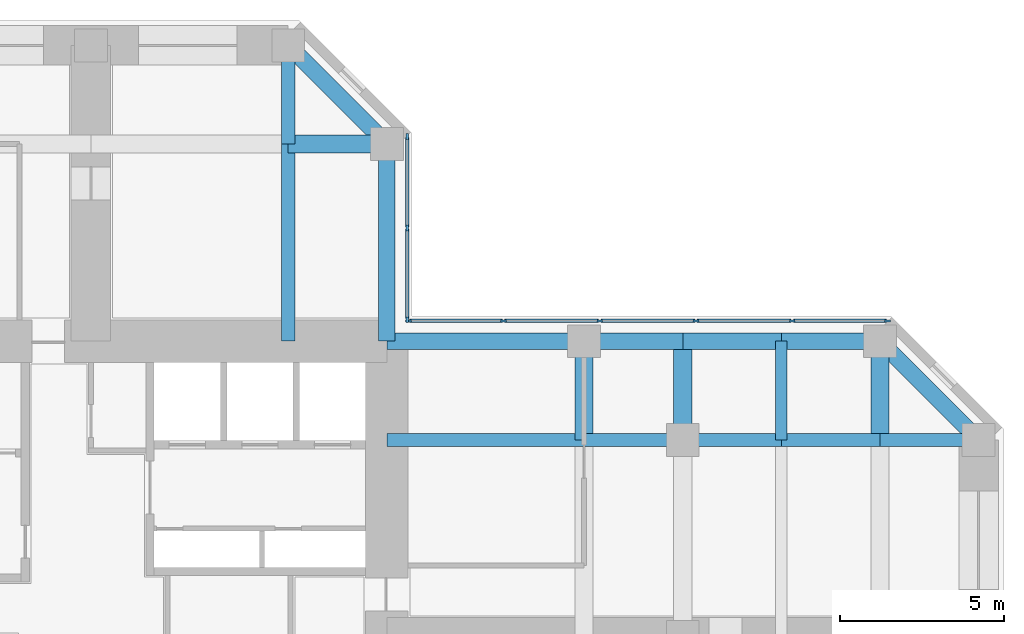
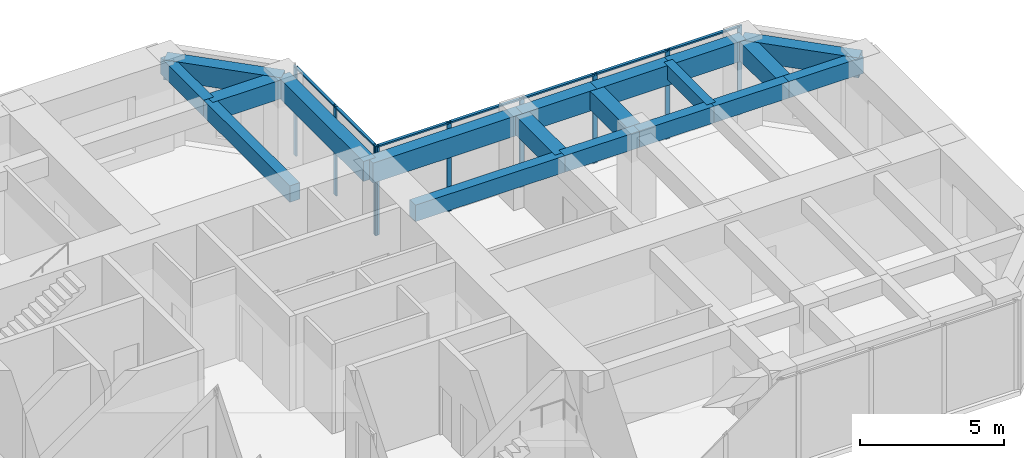
# One storey, part 6 of 12: 19 beams, 16 members, 2 elements without a shape of their own.
"""IFC4 building model written with IfcOpenShell, lengths in metres."""

from ifc_helpers import new_model, si_unit, direction, frame, origin, origin_2d, place, context, subcontext, project, spatial, rectangle, extrude, material, material_profile, profile_set, type_object, element, aggregate, save


model = new_model("IFC4")

# Units and contexts
model_context = context("Model", 3, precision=1e-05, world=origin(), true_north=direction((0.0, 1.0)))
body_context = subcontext(model_context, "Body", "Model", "MODEL_VIEW")
ifc_project = project(units=[si_unit("LENGTHUNIT", "METRE"), si_unit("AREAUNIT", "SQUARE_METRE"), si_unit("VOLUMEUNIT", "CUBIC_METRE"), si_unit("PLANEANGLEUNIT", "RADIAN"), si_unit("MASSUNIT", "GRAM", prefix="KILO")], contexts=[model_context])

# Site, building, storey
site_placement = place(None, origin())
site = spatial("IfcSite", under=ifc_project, at=site_placement, CompositionType="ELEMENT")
building_placement = place(site_placement, origin())
building = spatial("IfcBuilding", under=site, at=building_placement, Name="Torre Cruceta", CompositionType="ELEMENT")
storey_placement = place(building_placement, frame((0.0, 0.0, 140.5)))
storey = spatial("IfcBuildingStorey", under=building, at=storey_placement, Name="L34", CompositionType="ELEMENT", Elevation=140.5)

# Beams
ifc_material_1 = material(Name="Concrete G60 (fck 60 MPa)", Category="concrete")
ifc_material_profile_1 = material_profile(ifc_material_1, rectangle(XDim=0.39990234375, YDim=0.699951171875, at=origin_2d()), Name="RC 400X700")
ifc_profile_set_1 = profile_set([ifc_material_profile_1], Name="Concrete G60 (fck 60 MPa)")
beam_type_1 = type_object("IfcBeamType", Name="COLUMN LINE BEAM RC 400X700", PredefinedType="BEAM", material=ifc_profile_set_1)
beam_1_placement = place(storey_placement, frame((6.0, 9.0, 3.449951171875), z_axis=(0.0, 1.0, 0.0), x_axis=(-1.0, 0.0, 0.0)))
element("IfcBeam", 1, at=beam_1_placement, inside=storey, type_object=beam_type_1, Name="LB5 L34 N col- 1", PredefinedType="BEAM", context=body_context, shape_type="SweptSolid", body=[
    extrude(rectangle(XDim=0.39990234375, YDim=0.699951171875, at=origin_2d()), origin(), (0.0, 0.0, 1.0), 6.0),
])
beam_2_placement = place(storey_placement, frame((6.0, 15.0, 3.449951171875), z_axis=(0.0, 1.0, 0.0), x_axis=(-1.0, 0.0, 0.0)))
element("IfcBeam", 2, at=beam_2_placement, inside=storey, type_object=beam_type_1, Name="LB5 L34 N col- 2", PredefinedType="BEAM", context=body_context, shape_type="SweptSolid", body=[
    extrude(rectangle(XDim=0.39990234375, YDim=0.699951171875, at=origin_2d()), origin(), (0.0, 0.0, 1.0), 3.0),
])
beam_3_placement = place(storey_placement, frame((9.0, 6.0, 3.449951171875), z_axis=(1.0, 0.0, 0.0), x_axis=(0.0, 1.0, 0.0)))
element("IfcBeam", 3, at=beam_3_placement, inside=storey, type_object=beam_type_1, Name="LB5 L34 E col+ 1", PredefinedType="BEAM", context=body_context, shape_type="SweptSolid", body=[
    extrude(rectangle(XDim=0.39990234375, YDim=0.699951171875, at=origin_2d()), origin(), (0.0, 0.0, 1.0), 6.0),
])
for number, where, z_axis, x_axis, name in (
    (4, (15.0, 6.0, 3.449951171875), (1.0, 0.0, 0.0), (0.0, 1.0, 0.0), "LB5 L34 E col+ 2"),
    (5, (18.0, 6.0, 3.449951171875), (1.0, 0.0, 0.0), (0.0, 1.0, 0.0), "LB5 L34 E col+ 3"),
    (6, (21.0, 6.0, 3.449951171875), (1.0, 0.0, 0.0), (0.0, 1.0, 0.0), "LB5 L34 E col+ 4"),
    (7, (24.0, 6.0, 3.449951171875), (1.0, 0.0, 0.0), (0.0, 1.0, 0.0), "LB5 L34 E col+ 5"),
):
    element("IfcBeam", number, at=place(storey_placement, frame(where, z_axis=z_axis, x_axis=x_axis)), inside=storey, type_object=beam_type_1, Name=name, PredefinedType="BEAM", context=body_context, shape_type="SweptSolid", body=[
        extrude(rectangle(XDim=0.39990234375, YDim=0.699951171875, at=origin_2d()), origin(), (0.0, 0.0, 1.0), 3.0),
    ])
ifc_material_2 = material(Name="Concrete G60 (fck 60 MPa)", Category="concrete")
ifc_material_profile_2 = material_profile(ifc_material_2, rectangle(XDim=0.550048828125, YDim=0.800048828125, at=origin_2d()), Name="RC 550X800")
ifc_profile_set_2 = profile_set([ifc_material_profile_2], Name="Concrete G60 (fck 60 MPa)")
beam_type_2 = type_object("IfcBeamType", Name="CROSS BEAM RC 550X800", PredefinedType="BEAM", material=ifc_profile_set_2)
for number, where, z_axis, x_axis, name in (
    (8, (9.0, 15.0, 3.39990234375), (-1.0, 0.0, 0.0), (0.0, -1.0, 0.0), "GB5 L34 N cross15 1"),
    (9, (15.0, 6.0, 3.39990234375), (0.0, 1.0, 0.0), (-1.0, 0.0, 0.0), "GB5 L34 E cross15 4"),
    (10, (18.0, 6.0, 3.39990234375), (0.0, 1.0, 0.0), (-1.0, 0.0, 0.0), "GB5 L34 E cross18 4"),
    (11, (24.0, 6.0, 3.39990234375), (0.0, 1.0, 0.0), (-1.0, 0.0, 0.0), "GB5 L34 E cross24 4"),
):
    element("IfcBeam", number, at=place(storey_placement, frame(where, z_axis=z_axis, x_axis=x_axis)), inside=storey, type_object=beam_type_2, Name=name, PredefinedType="BEAM", context=body_context, shape_type="SweptSolid", body=[
        extrude(rectangle(XDim=0.550048828125, YDim=0.800048828125, at=origin_2d()), origin(), (0.0, 0.0, 1.0), 3.0),
    ])

# Curtain wall, members
ifc_material_3 = material(Name="Aluminium unitised curtain wall", Category="aluminium")
curtain_wall_type = type_object("IfcCurtainWallType", Name="CURTAIN WALL CW-B OFFICE MID RISE", PredefinedType="USERDEFINED", material=ifc_material_3)
curtain_wall_1_placement = place(storey_placement, origin())
curtain_wall_1 = element("IfcCurtainWall", 12, at=curtain_wall_1_placement, inside=storey, type_object=curtain_wall_type, Name="CW-B L34 E side 04", ObjectType="UNITISED", PredefinedType="USERDEFINED")
ifc_material_4 = material(Name="Aluminium mullion", Category="aluminium")
ifc_material_profile_3 = material_profile(ifc_material_4, rectangle(XDim=0.06494140625, YDim=0.179931640625, at=origin_2d()), Name="AL 65X180")
ifc_profile_set_3 = profile_set([ifc_material_profile_3], Name="Aluminium mullion")
member_type_1 = type_object("IfcMemberType", Name="CW-B MULLION 65X180", PredefinedType="MULLION", material=ifc_profile_set_3)
member_1_placement = place(storey_placement, frame((24.224365234375, 9.6201171875, 0.0), z_axis=(0.0, 0.0, 1.0), x_axis=(0.0, -1.0, 0.0)))
member_1 = element("IfcMember", 13, at=member_1_placement, type_object=member_type_1, Name="CW-B mullion 1", PredefinedType="MULLION", context=body_context, shape_type="SweptSolid", body=[
    extrude(rectangle(XDim=0.06494140625, YDim=0.179931640625, at=origin_2d()), origin(), (0.0, 0.0, 1.0), 3.800048828125),
])
member_2_placement = place(storey_placement, frame((21.329345703125, 9.6201171875, 0.0), z_axis=(0.0, 0.0, 1.0), x_axis=(0.0, -1.0, 0.0)))
member_2 = element("IfcMember", 14, at=member_2_placement, type_object=member_type_1, Name="CW-B mullion 2", PredefinedType="MULLION", context=body_context, shape_type="SweptSolid", body=[
    extrude(rectangle(XDim=0.06494140625, YDim=0.179931640625, at=origin_2d()), origin(), (0.0, 0.0, 1.0), 3.800048828125),
])
member_3_placement = place(storey_placement, frame((18.402099609375, 9.6201171875, 0.0), z_axis=(0.0, 0.0, 1.0), x_axis=(0.0, -1.0, 0.0)))
member_3 = element("IfcMember", 15, at=member_3_placement, type_object=member_type_1, Name="CW-B mullion 3", PredefinedType="MULLION", context=body_context, shape_type="SweptSolid", body=[
    extrude(rectangle(XDim=0.06494140625, YDim=0.179931640625, at=origin_2d()), origin(), (0.0, 0.0, 1.0), 3.800048828125),
])
member_4_placement = place(storey_placement, frame((15.474609375, 9.6201171875, 0.0), z_axis=(0.0, 0.0, 1.0), x_axis=(0.0, -1.0, 0.0)))
member_4 = element("IfcMember", 16, at=member_4_placement, type_object=member_type_1, Name="CW-B mullion 4", PredefinedType="MULLION", context=body_context, shape_type="SweptSolid", body=[
    extrude(rectangle(XDim=0.06494140625, YDim=0.179931640625, at=origin_2d()), origin(), (0.0, 0.0, 1.0), 3.800048828125),
])
member_5_placement = place(storey_placement, frame((12.54736328125, 9.6201171875, 0.0), z_axis=(0.0, 0.0, 1.0), x_axis=(0.0, -1.0, 0.0)))
member_5 = element("IfcMember", 17, at=member_5_placement, type_object=member_type_1, Name="CW-B mullion 5", PredefinedType="MULLION", context=body_context, shape_type="SweptSolid", body=[
    extrude(rectangle(XDim=0.06494140625, YDim=0.179931640625, at=origin_2d()), origin(), (0.0, 0.0, 1.0), 3.800048828125),
])
member_6_placement = place(storey_placement, frame((9.652587890625, 9.6201171875, 0.0), z_axis=(0.0, 0.0, 1.0), x_axis=(0.0, -1.0, 0.0)))
member_6 = element("IfcMember", 18, at=member_6_placement, type_object=member_type_1, Name="CW-B mullion 6", PredefinedType="MULLION", context=body_context, shape_type="SweptSolid", body=[
    extrude(rectangle(XDim=0.06494140625, YDim=0.179931640625, at=origin_2d()), origin(), (0.0, 0.0, 1.0), 3.800048828125),
])

curtain_wall_2_placement = place(storey_placement, origin())
curtain_wall_2 = element("IfcCurtainWall", 19, at=curtain_wall_2_placement, inside=storey, type_object=curtain_wall_type, Name="CW-B L34 N side 05", ObjectType="UNITISED", PredefinedType="USERDEFINED")
member_7_placement = place(storey_placement, frame((9.6201171875, 9.652587890625, 0.0), z_axis=(0.0, 0.0, 1.0), x_axis=(-1.0, 0.0, 0.0)))
member_7 = element("IfcMember", 20, at=member_7_placement, type_object=member_type_1, Name="CW-B mullion 1", PredefinedType="MULLION", context=body_context, shape_type="SweptSolid", body=[
    extrude(rectangle(XDim=0.06494140625, YDim=0.179931640625, at=origin_2d()), origin(), (0.0, 0.0, 1.0), 3.800048828125),
])
member_8_placement = place(storey_placement, frame((9.6201171875, 12.4384765625, 0.0), z_axis=(0.0, 0.0, 1.0), x_axis=(-1.0, 0.0, 0.0)))
member_8 = element("IfcMember", 21, at=member_8_placement, type_object=member_type_1, Name="CW-B mullion 2", PredefinedType="MULLION", context=body_context, shape_type="SweptSolid", body=[
    extrude(rectangle(XDim=0.06494140625, YDim=0.179931640625, at=origin_2d()), origin(), (0.0, 0.0, 1.0), 3.800048828125),
])
member_9_placement = place(storey_placement, frame((9.6201171875, 15.224365234375, 0.0), z_axis=(0.0, 0.0, 1.0), x_axis=(-1.0, 0.0, 0.0)))
member_9 = element("IfcMember", 22, at=member_9_placement, type_object=member_type_1, Name="CW-B mullion 3", PredefinedType="MULLION", context=body_context, shape_type="SweptSolid", body=[
    extrude(rectangle(XDim=0.06494140625, YDim=0.179931640625, at=origin_2d()), origin(), (0.0, 0.0, 1.0), 3.800048828125),
])

# Member
ifc_material_5 = material(Name="Aluminium transom", Category="aluminium")
ifc_material_profile_4 = material_profile(ifc_material_5, rectangle(XDim=0.110107421875, YDim=0.06494140625, at=origin_2d()), Name="AL 110X65")
ifc_profile_set_4 = profile_set([ifc_material_profile_4], Name="Aluminium transom")
member_type_2 = type_object("IfcMemberType", Name="CW-B TRANSOM 65X110", PredefinedType="USERDEFINED", material=ifc_profile_set_4)
member_10_placement = place(storey_placement, frame((24.19189453125, 9.6201171875, 3.767578125), z_axis=(-1.0, 0.0, 0.0), x_axis=(0.0, -1.0, 0.0)))
member_10 = element("IfcMember", 23, at=member_10_placement, type_object=member_type_2, Name="CW-B transom 1", ObjectType="TRANSOM", PredefinedType="USERDEFINED", context=body_context, shape_type="SweptSolid", body=[
    extrude(rectangle(XDim=0.110107421875, YDim=0.06494140625, at=origin_2d()), origin(), (0.0, 0.0, 1.0), 2.829833984375),
])

member_11_placement = place(storey_placement, frame((21.296875, 9.6201171875, 3.767578125), z_axis=(-1.0, 0.0, 0.0), x_axis=(0.0, -1.0, 0.0)))
member_11 = element("IfcMember", 24, at=member_11_placement, type_object=member_type_2, Name="CW-B transom 2", ObjectType="TRANSOM", PredefinedType="USERDEFINED", context=body_context, shape_type="SweptSolid", body=[
    extrude(rectangle(XDim=0.110107421875, YDim=0.06494140625, at=origin_2d()), origin(), (0.0, 0.0, 1.0), 2.8623046875),
])

member_12_placement = place(storey_placement, frame((18.36962890625, 9.6201171875, 3.767578125), z_axis=(-1.0, 0.0, 0.0), x_axis=(0.0, -1.0, 0.0)))
member_12 = element("IfcMember", 25, at=member_12_placement, type_object=member_type_2, Name="CW-B transom 3", ObjectType="TRANSOM", PredefinedType="USERDEFINED", context=body_context, shape_type="SweptSolid", body=[
    extrude(rectangle(XDim=0.110107421875, YDim=0.06494140625, at=origin_2d()), origin(), (0.0, 0.0, 1.0), 2.8623046875),
])

member_13_placement = place(storey_placement, frame((15.442138671875, 9.6201171875, 3.767578125), z_axis=(-1.0, 0.0, 0.0), x_axis=(0.0, -1.0, 0.0)))
member_13 = element("IfcMember", 26, at=member_13_placement, type_object=member_type_2, Name="CW-B transom 4", ObjectType="TRANSOM", PredefinedType="USERDEFINED", context=body_context, shape_type="SweptSolid", body=[
    extrude(rectangle(XDim=0.110107421875, YDim=0.06494140625, at=origin_2d()), origin(), (0.0, 0.0, 1.0), 2.8623046875),
])

member_14_placement = place(storey_placement, frame((12.514892578125, 9.6201171875, 3.767578125), z_axis=(-1.0, 0.0, 0.0), x_axis=(0.0, -1.0, 0.0)))
member_14 = element("IfcMember", 27, at=member_14_placement, type_object=member_type_2, Name="CW-B transom 5", ObjectType="TRANSOM", PredefinedType="USERDEFINED", context=body_context, shape_type="SweptSolid", body=[
    extrude(rectangle(XDim=0.110107421875, YDim=0.06494140625, at=origin_2d()), origin(), (0.0, 0.0, 1.0), 2.829833984375),
])

aggregate(curtain_wall_1, [member_1, member_2, member_3, member_4, member_5, member_6, member_10, member_11, member_12, member_13, member_14])

member_15_placement = place(storey_placement, frame((9.6201171875, 9.68505859375, 3.767578125), z_axis=(0.0, 1.0, 0.0), x_axis=(-1.0, 0.0, 0.0)))
member_15 = element("IfcMember", 28, at=member_15_placement, type_object=member_type_2, Name="CW-B transom 1", ObjectType="TRANSOM", PredefinedType="USERDEFINED", context=body_context, shape_type="SweptSolid", body=[
    extrude(rectangle(XDim=0.110107421875, YDim=0.06494140625, at=origin_2d()), origin(), (0.0, 0.0, 1.0), 2.720947265625),
])

member_16_placement = place(storey_placement, frame((9.6201171875, 12.470947265625, 3.767578125), z_axis=(0.0, 1.0, 0.0), x_axis=(-1.0, 0.0, 0.0)))
member_16 = element("IfcMember", 29, at=member_16_placement, type_object=member_type_2, Name="CW-B transom 2", ObjectType="TRANSOM", PredefinedType="USERDEFINED", context=body_context, shape_type="SweptSolid", body=[
    extrude(rectangle(XDim=0.110107421875, YDim=0.06494140625, at=origin_2d()), origin(), (0.0, 0.0, 1.0), 2.720947265625),
])

aggregate(curtain_wall_2, [member_7, member_8, member_9, member_15, member_16])

# Beams
ifc_material_6 = material(Name="Concrete G60 (fck 60 MPa)", Category="concrete")
ifc_material_profile_5 = material_profile(ifc_material_6, rectangle(XDim=0.35009765625, YDim=0.60009765625, at=origin_2d()), Name="RC 350X600")
ifc_profile_set_5 = profile_set([ifc_material_profile_5], Name="Concrete G60 (fck 60 MPa)")
beam_type_3 = type_object("IfcBeamType", Name="SECONDARY BEAM RC 350X600", PredefinedType="JOIST", material=ifc_profile_set_5)
beam_4_placement = place(storey_placement, frame((21.0, 6.0, 3.5), z_axis=(0.0, 1.0, 0.0), x_axis=(-1.0, 0.0, 0.0)))
element("IfcBeam", 30, at=beam_4_placement, inside=storey, type_object=beam_type_3, Name="JB5 L34 E sec21 4", PredefinedType="JOIST", context=body_context, shape_type="SweptSolid", body=[
    extrude(rectangle(XDim=0.35009765625, YDim=0.60009765625, at=origin_2d()), origin(), (0.0, 0.0, 1.0), 3.0),
])
ifc_material_7 = material(Name="Concrete G60 (fck 60 MPa)", Category="concrete")
ifc_material_profile_6 = material_profile(ifc_material_7, rectangle(XDim=0.5, YDim=0.85009765625, at=origin_2d()), Name="RC 500X850")
ifc_profile_set_6 = profile_set([ifc_material_profile_6], Name="Concrete G60 (fck 60 MPa)")
beam_type_4 = type_object("IfcBeamType", Name="SPANDREL BEAM RC 500X850", PredefinedType="SPANDREL", material=ifc_profile_set_6)
beam_5_placement = place(storey_placement, frame((9.0, 9.0, 3.375), z_axis=(0.0, 1.0, 0.0), x_axis=(-1.0, 0.0, 0.0)))
element("IfcBeam", 31, at=beam_5_placement, inside=storey, type_object=beam_type_4, Name="SB5 L34 N side- 1", PredefinedType="SPANDREL", context=body_context, shape_type="SweptSolid", body=[
    extrude(rectangle(XDim=0.5, YDim=0.85009765625, at=origin_2d()), origin(), (0.0, 0.0, 1.0), 6.0),
])
beam_6_placement = place(storey_placement, frame((9.0, 15.0, 3.375), z_axis=(-0.707106781187, 0.707106781187, 0.0), x_axis=(-0.707106781187, -0.707106781187, 0.0)))
element("IfcBeam", 32, at=beam_6_placement, inside=storey, type_object=beam_type_4, Name="SB5 L34 N side- 2", PredefinedType="SPANDREL", context=body_context, shape_type="SweptSolid", body=[
    extrude(rectangle(XDim=0.5, YDim=0.85009765625, at=origin_2d()), origin(), (0.0, 0.0, 1.0), 4.24267578125),
])
beam_7_placement = place(storey_placement, frame((9.0, 9.0, 3.375), z_axis=(1.0, 0.0, 0.0), x_axis=(0.0, 1.0, 0.0)))
element("IfcBeam", 33, at=beam_7_placement, inside=storey, type_object=beam_type_4, Name="SB5 L34 E side+ 1", PredefinedType="SPANDREL", context=body_context, shape_type="SweptSolid", body=[
    extrude(rectangle(XDim=0.5, YDim=0.85009765625, at=origin_2d()), origin(), (0.0, 0.0, 1.0), 6.0),
])
for number, where, z_axis, x_axis, name in (
    (34, (15.0, 9.0, 3.375), (1.0, 0.0, 0.0), (0.0, 1.0, 0.0), "SB5 L34 E side+ 2"),
    (35, (18.0, 9.0, 3.375), (1.0, 0.0, 0.0), (0.0, 1.0, 0.0), "SB5 L34 E side+ 3"),
    (36, (21.0, 9.0, 3.375), (1.0, 0.0, 0.0), (0.0, 1.0, 0.0), "SB5 L34 E side+ 4"),
):
    element("IfcBeam", number, at=place(storey_placement, frame(where, z_axis=z_axis, x_axis=x_axis)), inside=storey, type_object=beam_type_4, Name=name, PredefinedType="SPANDREL", context=body_context, shape_type="SweptSolid", body=[
        extrude(rectangle(XDim=0.5, YDim=0.85009765625, at=origin_2d()), origin(), (0.0, 0.0, 1.0), 3.0),
    ])
beam_8_placement = place(storey_placement, frame((24.0, 9.0, 3.375), z_axis=(0.707106781187, -0.707106781187, 0.0), x_axis=(0.707106781187, 0.707106781187, 0.0)))
element("IfcBeam", 37, at=beam_8_placement, inside=storey, type_object=beam_type_4, Name="SB5 L34 E side+ 5", PredefinedType="SPANDREL", context=body_context, shape_type="SweptSolid", body=[
    extrude(rectangle(XDim=0.5, YDim=0.85009765625, at=origin_2d()), origin(), (0.0, 0.0, 1.0), 4.24267578125),
])

save(model, "model.ifc")
